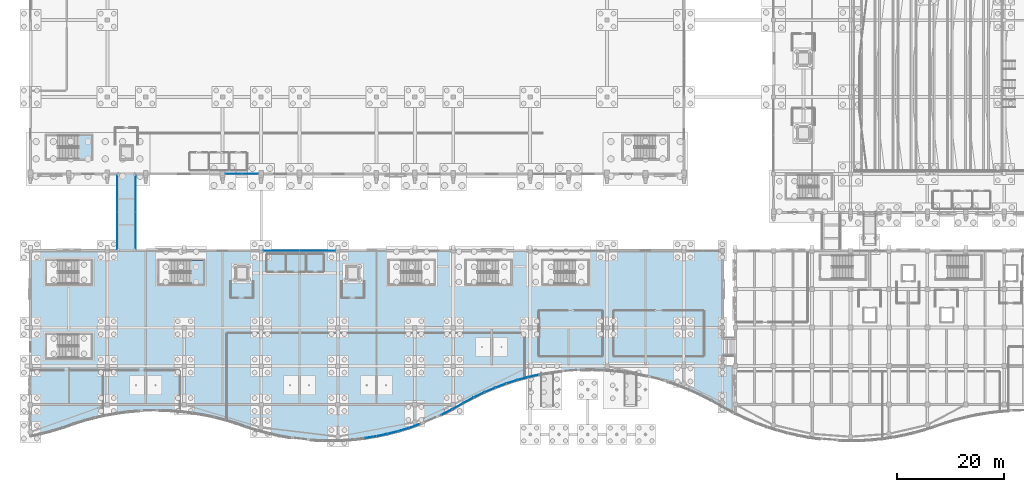
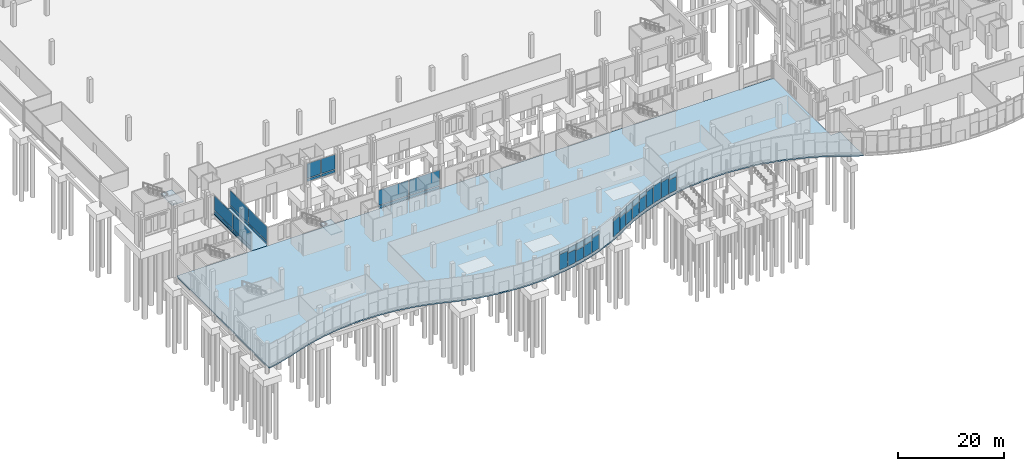
# One storey, part 123 of 192: 43 plates, 4 slabs, 20 elements without a shape of their own.
"""IFC4 building model written with IfcOpenShell, lengths in metres."""

import ifcopenshell
import ifcopenshell.guid

model = None  # the IFC model being written
_history = None  # IfcOwnerHistory: only IFC2X3 demands one
_inside = {}  # id of a spatial element -> (the spatial element, [elements in it])
_under = {}  # id of a project, library or spatial element -> (it, [spatial elements below it])
_declared = {}  # id of a project -> (the project, [libraries it declares])
_typed = {}  # id of a type object -> (the type object, [elements of that type])
_made_of = {}  # id of a material, layer set ... -> (it, [elements and type objects made of it])


def new_model(schema):
    """Start an empty IFC model of exactly this schema.

    Asked for "IFC4X3", IfcOpenShell would pick the latest addendum, in which some entities
    have other attributes; the version numbers below select the first issue.
    IFC2X3 requires an IfcOwnerHistory on every rooted entity: one is made here for all.
    """
    global model, _history
    if schema == "IFC4X3":
        model = ifcopenshell.file(schema_version=(4, 3, 0, 0))
    else:
        model = ifcopenshell.file(schema=schema)
    _inside.clear()
    _under.clear()
    _declared.clear()
    _typed.clear()
    _made_of.clear()
    _history = None
    if model.schema == "IFC2X3":
        org = make("IfcOrganization", Name="unknown")
        user = make(
            "IfcPersonAndOrganization",
            ThePerson=make("IfcPerson", FamilyName="unknown"),
            TheOrganization=org,
        )
        app = make(
            "IfcApplication",
            ApplicationDeveloper=org,
            Version="unknown",
            ApplicationFullName="unknown",
            ApplicationIdentifier="unknown",
        )
        _history = make(
            "IfcOwnerHistory",
            OwningUser=user,
            OwningApplication=app,
            ChangeAction="ADDED",
            CreationDate=0,
        )
    return model


def make(cls, **values):
    """One entity of the class cls with the attributes given. An attribute that is None is left unset."""
    return model.create_entity(
        cls, **{name: value for name, value in values.items() if value is not None}
    )


def rooted(cls, **values):
    """An entity with a GlobalId (a new one), such as an element, a storey or a relation."""
    return make(cls, GlobalId=ifcopenshell.guid.new(), OwnerHistory=_history, **values)


def si_unit(unit_type, name, prefix=None):
    """IfcSIUnit, for example si_unit("LENGTHUNIT", "METRE", prefix="MILLI")."""
    return make("IfcSIUnit", UnitType=unit_type, Prefix=prefix, Name=name)


def assignment(units):
    """IfcUnitAssignment: the units of a project."""
    return None if units is None else make("IfcUnitAssignment", Units=units)


def point(xyz):
    """IfcCartesianPoint."""
    return None if xyz is None else make("IfcCartesianPoint", Coordinates=xyz)


def direction(xyz):
    """IfcDirection."""
    return None if xyz is None else make("IfcDirection", DirectionRatios=xyz)


def frame(location, z_axis=None, x_axis=None):
    """IfcAxis2Placement3D, a coordinate frame: its origin and axes. An axis left out is left unset."""
    return make(
        "IfcAxis2Placement3D",
        Location=point(location),
        Axis=direction(z_axis),
        RefDirection=direction(x_axis),
    )


def frame_2d(location, x_axis=None):
    """IfcAxis2Placement2D, a coordinate frame in the plane: its origin and x axis."""
    return make(
        "IfcAxis2Placement2D", Location=point(location), RefDirection=direction(x_axis)
    )


def origin():
    """The frame at (0, 0, 0) with its axes left unset."""
    return frame((0.0, 0.0, 0.0))


def origin_2d():
    """The frame at (0, 0) in the plane with its x axis left unset."""
    return frame_2d((0.0, 0.0))


def place(relative_to, where):
    """IfcLocalPlacement: puts the frame where relative to a parent placement (None: the world)."""
    return make(
        "IfcLocalPlacement", PlacementRelTo=relative_to, RelativePlacement=where
    )


def context(
    kind, dimensions, precision=None, world=None, true_north=None, identifier=None
):
    """IfcGeometricRepresentationContext, for example the 3D "Model" context."""
    return make(
        "IfcGeometricRepresentationContext",
        ContextIdentifier=identifier,
        ContextType=kind,
        CoordinateSpaceDimension=dimensions,
        Precision=precision,
        WorldCoordinateSystem=world,
        TrueNorth=true_north,
    )


def subcontext(parent, identifier, kind, view, scale=None):
    """IfcGeometricRepresentationSubContext, for example "Body" below "Model"."""
    return make(
        "IfcGeometricRepresentationSubContext",
        ContextIdentifier=identifier,
        ContextType=kind,
        ParentContext=parent,
        TargetScale=scale,
        TargetView=view,
    )


def project(units=None, contexts=None):
    """IfcProject with its units and contexts."""
    return rooted(
        "IfcProject",
        Name="project",
        RepresentationContexts=contexts,
        UnitsInContext=assignment(units),
    )


def spatial(cls, under=None, at=None, **own):
    """A site, building, storey or space (cls), placed at a placement, below another one or the project."""
    s = rooted(cls, ObjectPlacement=at, **own)
    if under is not None:
        _under.setdefault(under.id(), (under, []))[1].append(s)
    return s


def polyline(points):
    """IfcPolyline through the points."""
    return make("IfcPolyline", Points=[point(p) for p in points])


def profile(cls, at=None, kind="AREA", **sizes):
    """A parametric profile (cls). Its sizes go by their IFC names, for example OverallWidth=200.0."""
    return make(cls, ProfileType=kind, Position=at, **sizes)


def rectangle(**sizes):
    """IfcRectangleProfileDef."""
    return profile("IfcRectangleProfileDef", **sizes)


def outline(outer, holes=None, kind="AREA"):
    """IfcArbitraryClosedProfileDef: a profile drawn as a closed curve; with holes, ...WithVoids."""
    if holes is None:
        return make("IfcArbitraryClosedProfileDef", ProfileType=kind, OuterCurve=outer)
    return make(
        "IfcArbitraryProfileDefWithVoids",
        ProfileType=kind,
        OuterCurve=outer,
        InnerCurves=holes,
    )


def extrude(swept, where, along, depth):
    """IfcExtrudedAreaSolid: the profile swept, set in the frame where, extruded along a direction by depth."""
    return make(
        "IfcExtrudedAreaSolid",
        SweptArea=swept,
        Position=where,
        ExtrudedDirection=direction(along),
        Depth=depth,
    )


def shape(context_of_items, identifier, shape_type, items):
    """IfcShapeRepresentation: the items that make up one representation, for example the "Body"."""
    return make(
        "IfcShapeRepresentation",
        ContextOfItems=context_of_items,
        RepresentationIdentifier=identifier,
        RepresentationType=shape_type,
        Items=items,
    )


def material(Name=None, Category=None):
    """IfcMaterial."""
    return make("IfcMaterial", Name=Name, Category=Category)


def layer(
    of_material, thickness, ventilated=None, Name=None, Category=None, Priority=None
):
    """IfcMaterialLayer: one layer of a wall or slab, of a material (None: an air gap)."""
    return make(
        "IfcMaterialLayer",
        Material=of_material,
        LayerThickness=thickness,
        IsVentilated=ventilated,
        Name=Name,
        Category=Category,
        Priority=Priority,
    )


def layer_set(layers, Name=None):
    """IfcMaterialLayerSet."""
    return make("IfcMaterialLayerSet", MaterialLayers=layers, LayerSetName=Name)


def made_of(thing, what):
    """Note that an element or type object is made of a material, layer set ...; save() writes the relation."""
    if what is not None:
        _made_of.setdefault(what.id(), (what, []))[1].append(thing)
    return thing


def type_object(cls, material=None, **own):
    """A type object (cls), such as IfcWallType, which elements share."""
    return made_of(rooted(cls, **own), material)


def element(
    cls,
    number,
    at=None,
    inside=None,
    cuts=None,
    type_object=None,
    material=None,
    context=None,
    identifier="Body",
    shape_type=None,
    held_by="IfcProductDefinitionShape",
    body=None,
    shapes=None,
    **own,
):
    """One element of the class cls, such as IfcWall. Its Tag is "e" and its number.

    at: its placement. inside: the storey or other place that contains it. cuts: it is an
    opening in that element (IfcRelVoidsElement). A single representation is given by context,
    identifier, shape_type and body (its items); several are given by shapes. held_by: the class
    of the entity that holds the representations. save() writes the other relations.
    """
    e = rooted(cls, Tag="e%d" % number, ObjectPlacement=at, **own)
    if body is not None:
        shapes = [shape(context, identifier, shape_type, body)]
    if shapes is not None:
        e.Representation = make(held_by, Representations=shapes)
    if inside is not None:
        _inside.setdefault(inside.id(), (inside, []))[1].append(e)
    if cuts is not None:
        rooted(
            "IfcRelVoidsElement", RelatingBuildingElement=cuts, RelatedOpeningElement=e
        )
    if type_object is not None:
        _typed.setdefault(type_object.id(), (type_object, []))[1].append(e)
    return made_of(e, material)


def aggregate(whole, parts):
    """IfcRelAggregates: a whole, such as a stair, and the parts it consists of."""
    return rooted("IfcRelAggregates", RelatingObject=whole, RelatedObjects=parts)


def save(model, path):
    """Write the relations noted so far, then the file.

    IfcRelAggregates (storeys below a building ...), IfcRelContainedInSpatialStructure (elements
    in a storey), IfcRelDefinesByType, IfcRelAssociatesMaterial and IfcRelDeclares: one each for
    every whole, place, type object, material and project.
    """
    for whole, parts in _under.values():
        aggregate(whole, parts)
    for where, things in _inside.values():
        rooted(
            "IfcRelContainedInSpatialStructure",
            RelatedElements=things,
            RelatingStructure=where,
        )
    for kind, things in _typed.values():
        rooted("IfcRelDefinesByType", RelatedObjects=things, RelatingType=kind)
    for what, things in _made_of.values():
        rooted("IfcRelAssociatesMaterial", RelatedObjects=things, RelatingMaterial=what)
    for by, libraries in _declared.values():
        rooted("IfcRelDeclares", RelatingContext=by, RelatedDefinitions=libraries)
    model.write(path)


model = new_model("IFC4")

# Units and contexts
model_context = context("Model", 3, precision=1e-05, world=origin(), true_north=direction((0.0, 1.0)))
body_context = subcontext(model_context, "Body", "Model", "MODEL_VIEW")
ifc_project = project(units=[si_unit("LENGTHUNIT", "METRE"), si_unit("AREAUNIT", "SQUARE_METRE"), si_unit("VOLUMEUNIT", "CUBIC_METRE"), si_unit("PLANEANGLEUNIT", "RADIAN"), si_unit("MASSUNIT", "GRAM", prefix="KILO")], contexts=[model_context])

# Site, building, storey
site_placement = place(None, origin())
site = spatial("IfcSite", under=ifc_project, at=site_placement, CompositionType="ELEMENT")
building_placement = place(site_placement, origin())
building = spatial("IfcBuilding", under=site, at=building_placement, Name="Cendralis Lancet Convention Centre", CompositionType="ELEMENT")
storey_placement = place(building_placement, origin())
storey = spatial("IfcBuildingStorey", under=building, at=storey_placement, Name="L00", CompositionType="ELEMENT", Elevation=0.0)

# Curtain wall, plate
ifc_material_1 = material(Name="Anodised bronze architectural aluminium", Category="aluminium")
curtain_wall_type_1 = type_object("IfcCurtainWallType", Name="ARC-CW-WF01", PredefinedType="USERDEFINED", material=ifc_material_1)
curtain_wall_1_placement = place(storey_placement, origin())
curtain_wall_1 = element("IfcCurtainWall", 1, at=curtain_wall_1_placement, inside=storey, type_object=curtain_wall_type_1, Name="L00 Curtain Wall CW-WF1 #028", ObjectType="CURTAIN WALL", PredefinedType="USERDEFINED")
ifc_material_2 = material(Name="Double-glazed low-E solar-control glass", Category="glass")
ifc_layer_1 = layer(ifc_material_2, 0.035888671875, Name="Double-glazed low-E solar-control glass")
ifc_layer_set_1 = layer_set([ifc_layer_1], Name="Double-glazed low-E solar-control glass")
plate_type_1 = type_object("IfcPlateType", Name="ARC-PL-GL01", PredefinedType="CURTAIN_PANEL", material=ifc_layer_set_1)
plate_1_placement = place(storey_placement, frame((63.79443359375, 1.090576171875, 0.52001953125), z_axis=(0.0, 0.0, 1.0), x_axis=(0.986902811429, 0.161315965711, 0.0)))
plate_1 = element("IfcPlate", 2, at=plate_1_placement, type_object=plate_type_1, Name="Vision Glass Panel CW2-CW-WF1-L00-028-PG0", PredefinedType="CURTAIN_PANEL", context=body_context, shape_type="SweptSolid", body=[
    extrude(rectangle(XDim=1.911865234375, YDim=0.035888671875, at=origin_2d()), origin(), (0.0, 0.0, 1.0), 3.537109375),
])

curtain_wall_2_placement = place(storey_placement, origin())
curtain_wall_2 = element("IfcCurtainWall", 3, at=curtain_wall_2_placement, inside=storey, type_object=curtain_wall_type_1, Name="L00 Curtain Wall CW-WF1 #029", ObjectType="CURTAIN WALL", PredefinedType="USERDEFINED")
plate_2_placement = place(storey_placement, frame((65.820068359375, 1.466552734375, 0.52001953125), z_axis=(0.0, 0.0, 1.0), x_axis=(0.979084823278, 0.20345247314, 0.0)))
plate_2 = element("IfcPlate", 4, at=plate_2_placement, type_object=plate_type_1, Name="Vision Glass Panel CW2-CW-WF1-L00-029-PG0", PredefinedType="CURTAIN_PANEL", context=body_context, shape_type="SweptSolid", body=[
    extrude(rectangle(XDim=1.92919921875, YDim=0.035888671875, at=origin_2d()), origin(), (0.0, 0.0, 1.0), 2.97998046875),
])

curtain_wall_3_placement = place(storey_placement, origin())
curtain_wall_3 = element("IfcCurtainWall", 5, at=curtain_wall_3_placement, inside=storey, type_object=curtain_wall_type_1, Name="L00 Curtain Wall CW-WF1 #030", ObjectType="CURTAIN WALL", PredefinedType="USERDEFINED")
plate_3_placement = place(storey_placement, frame((67.845458984375, 1.93408203125, 0.52001953125), z_axis=(0.0, 0.0, 1.0), x_axis=(0.969263388122, 0.246025373583, 0.0)))
plate_3 = element("IfcPlate", 6, at=plate_3_placement, type_object=plate_type_1, Name="Vision Glass Panel CW2-CW-WF1-L00-030-PG0", PredefinedType="CURTAIN_PANEL", context=body_context, shape_type="SweptSolid", body=[
    extrude(rectangle(XDim=1.94921875, YDim=0.035888671875, at=origin_2d()), origin(), (0.0, 0.0, 1.0), 2.6279296875),
])

curtain_wall_4_placement = place(storey_placement, origin())
curtain_wall_4 = element("IfcCurtainWall", 7, at=curtain_wall_4_placement, inside=storey, type_object=curtain_wall_type_1, Name="L00 Curtain Wall CW-WF1 #031", ObjectType="CURTAIN WALL", PredefinedType="USERDEFINED")
plate_4_placement = place(storey_placement, frame((69.87060546875, 2.49560546875, 0.52001953125), z_axis=(0.0, 0.0, 1.0), x_axis=(0.957630828491, 0.287998604725, 0.0)))
plate_4 = element("IfcPlate", 8, at=plate_4_placement, type_object=plate_type_1, Name="Vision Glass Panel CW2-CW-WF1-L00-031-PG0", PredefinedType="CURTAIN_PANEL", context=body_context, shape_type="SweptSolid", body=[
    extrude(rectangle(XDim=1.974609375, YDim=0.035888671875, at=origin_2d()), origin(), (0.0, 0.0, 1.0), 2.739013671875),
])

curtain_wall_5_placement = place(storey_placement, origin())
curtain_wall_5 = element("IfcCurtainWall", 9, at=curtain_wall_5_placement, inside=storey, type_object=curtain_wall_type_1, Name="L00 Curtain Wall CW-WF1 #032", ObjectType="CURTAIN WALL", PredefinedType="USERDEFINED")
plate_5_placement = place(storey_placement, frame((71.8955078125, 3.154052734375, 0.52001953125), z_axis=(0.0, 0.0, 1.0), x_axis=(0.94396731712, 0.330038943473, 0.0)))
plate_5 = element("IfcPlate", 10, at=plate_5_placement, type_object=plate_type_1, Name="Vision Glass Panel CW2-CW-WF1-L00-032-PG0", PredefinedType="CURTAIN_PANEL", context=body_context, shape_type="SweptSolid", body=[
    extrude(rectangle(XDim=2.005126953125, YDim=0.035888671875, at=origin_2d()), origin(), (0.0, 0.0, 1.0), 3.23095703125),
])

curtain_wall_6_placement = place(storey_placement, origin())
curtain_wall_6 = element("IfcCurtainWall", 11, at=curtain_wall_6_placement, inside=storey, type_object=curtain_wall_type_1, Name="L00 Curtain Wall CW-WF1 #033", ObjectType="CURTAIN WALL", PredefinedType="USERDEFINED")
plate_6_placement = place(storey_placement, frame((77.971435546875, 5.763916015625, 0.52001953125), z_axis=(0.0, 0.0, 1.0), x_axis=(0.889542894567, 0.456851659431, 0.0)))
plate_6 = element("IfcPlate", 12, at=plate_6_placement, type_object=plate_type_1, Name="Vision Glass Panel CW2-CW-WF1-L00-033-PG0", PredefinedType="CURTAIN_PANEL", context=body_context, shape_type="SweptSolid", body=[
    extrude(rectangle(XDim=2.136474609375, YDim=0.035888671875, at=origin_2d()), origin(), (0.0, 0.0, 1.0), 3.593017578125),
])

curtain_wall_7_placement = place(storey_placement, origin())
curtain_wall_7 = element("IfcCurtainWall", 13, at=curtain_wall_7_placement, inside=storey, type_object=curtain_wall_type_1, Name="L00 Curtain Wall CW-WF1 #034", ObjectType="CURTAIN WALL", PredefinedType="USERDEFINED")
plate_7_placement = place(storey_placement, frame((79.99658203125, 6.861572265625, 0.52001953125), z_axis=(0.0, 0.0, 1.0), x_axis=(0.86863882633, 0.495445849101, 0.0)))
plate_7 = element("IfcPlate", 14, at=plate_7_placement, type_object=plate_type_1, Name="Vision Glass Panel CW2-CW-WF1-L00-034-PG0", PredefinedType="CURTAIN_PANEL", context=body_context, shape_type="SweptSolid", body=[
    extrude(rectangle(XDim=2.191162109375, YDim=0.035888671875, at=origin_2d()), origin(), (0.0, 0.0, 1.0), 3.0380859375),
])

curtain_wall_8_placement = place(storey_placement, origin())
curtain_wall_8 = element("IfcCurtainWall", 15, at=curtain_wall_8_placement, inside=storey, type_object=curtain_wall_type_1, Name="L00 Curtain Wall CW-WF1 #035", ObjectType="CURTAIN WALL", PredefinedType="USERDEFINED")
plate_8_placement = place(storey_placement, frame((82.021484375, 7.985107421875, 0.52001953125), z_axis=(0.0, 0.0, 1.0), x_axis=(0.880177838131, 0.474644049013, 0.0)))
plate_8 = element("IfcPlate", 16, at=plate_8_placement, type_object=plate_type_1, Name="Vision Glass Panel CW2-CW-WF1-L00-035-PG0", PredefinedType="CURTAIN_PANEL", context=body_context, shape_type="SweptSolid", body=[
    extrude(rectangle(XDim=2.16064453125, YDim=0.035888671875, at=origin_2d()), origin(), (0.0, 0.0, 1.0), 2.64599609375),
])

curtain_wall_9_placement = place(storey_placement, origin())
curtain_wall_9 = element("IfcCurtainWall", 17, at=curtain_wall_9_placement, inside=storey, type_object=curtain_wall_type_1, Name="L00 Curtain Wall CW-WF1 #036", ObjectType="CURTAIN WALL", PredefinedType="USERDEFINED")
plate_9_placement = place(storey_placement, frame((84.047119140625, 9.01708984375, 0.52001953125), z_axis=(0.0, 0.0, 1.0), x_axis=(0.90160637311, 0.432557450481, 0.0)))
plate_9 = element("IfcPlate", 18, at=plate_9_placement, type_object=plate_type_1, Name="Vision Glass Panel CW2-CW-WF1-L00-036-PG0", PredefinedType="CURTAIN_PANEL", context=body_context, shape_type="SweptSolid", body=[
    extrude(rectangle(XDim=2.107177734375, YDim=0.035888671875, at=origin_2d()), origin(), (0.0, 0.0, 1.0), 2.702880859375),
])

curtain_wall_10_placement = place(storey_placement, origin())
curtain_wall_10 = element("IfcCurtainWall", 19, at=curtain_wall_10_placement, inside=storey, type_object=curtain_wall_type_1, Name="L00 Curtain Wall CW-WF1 #037", ObjectType="CURTAIN WALL", PredefinedType="USERDEFINED")
plate_10_placement = place(storey_placement, frame((86.072509765625, 9.931884765625, 0.52001953125), z_axis=(0.0, 0.0, 1.0), x_axis=(0.920760025927, 0.390129433209, 0.0)))
plate_10 = element("IfcPlate", 20, at=plate_10_placement, type_object=plate_type_1, Name="Vision Glass Panel CW2-CW-WF1-L00-037-PG0", PredefinedType="CURTAIN_PANEL", context=body_context, shape_type="SweptSolid", body=[
    extrude(rectangle(XDim=2.059326171875, YDim=0.035888671875, at=origin_2d()), origin(), (0.0, 0.0, 1.0), 3.16796875),
])

curtain_wall_11_placement = place(storey_placement, origin())
curtain_wall_11 = element("IfcCurtainWall", 21, at=curtain_wall_11_placement, inside=storey, type_object=curtain_wall_type_1, Name="L00 Curtain Wall CW-WF1 #038", ObjectType="CURTAIN WALL", PredefinedType="USERDEFINED")
plate_11_placement = place(storey_placement, frame((88.097412109375, 10.737060546875, 0.52001953125), z_axis=(0.0, 0.0, 1.0), x_axis=(0.937446856208, 0.348128412781, 0.0)))
plate_11 = element("IfcPlate", 22, at=plate_11_placement, type_object=plate_type_1, Name="Vision Glass Panel CW2-CW-WF1-L00-038-PG0", PredefinedType="CURTAIN_PANEL", context=body_context, shape_type="SweptSolid", body=[
    extrude(rectangle(XDim=2.02001953125, YDim=0.035888671875, at=origin_2d()), origin(), (0.0, 0.0, 1.0), 3.698974609375),
])

curtain_wall_12_placement = place(storey_placement, origin())
curtain_wall_12 = element("IfcCurtainWall", 23, at=curtain_wall_12_placement, inside=storey, type_object=curtain_wall_type_1, Name="L00 Curtain Wall CW-WF1 #039", ObjectType="CURTAIN WALL", PredefinedType="USERDEFINED")
plate_12_placement = place(storey_placement, frame((90.12255859375, 11.4384765625, 0.52001953125), z_axis=(0.0, 0.0, 1.0), x_axis=(0.952013885604, 0.306054834331, 0.0)))
plate_12 = element("IfcPlate", 24, at=plate_12_placement, type_object=plate_type_1, Name="Vision Glass Panel CW2-CW-WF1-L00-039-PG0", PredefinedType="CURTAIN_PANEL", context=body_context, shape_type="SweptSolid", body=[
    extrude(rectangle(XDim=1.987060546875, YDim=0.035888671875, at=origin_2d()), origin(), (0.0, 0.0, 1.0), 3.908935546875),
])
aggregate(curtain_wall_12, [plate_12])

curtain_wall_13_placement = place(storey_placement, origin())
curtain_wall_13 = element("IfcCurtainWall", 25, at=curtain_wall_13_placement, inside=storey, type_object=curtain_wall_type_1, Name="L00 Curtain Wall CW-WF1 #040", ObjectType="CURTAIN WALL", PredefinedType="USERDEFINED")
plate_13_placement = place(storey_placement, frame((92.14794921875, 12.041015625, 0.52001953125), z_axis=(0.0, 0.0, 1.0), x_axis=(0.964587813465, 0.263761919378, 0.0)))
plate_13 = element("IfcPlate", 26, at=plate_13_placement, type_object=plate_type_1, Name="Vision Glass Panel CW2-CW-WF1-L00-040-PG0", PredefinedType="CURTAIN_PANEL", context=body_context, shape_type="SweptSolid", body=[
    extrude(rectangle(XDim=1.96044921875, YDim=0.035888671875, at=origin_2d()), origin(), (0.0, 0.0, 1.0), 3.64501953125),
])

curtain_wall_14_placement = place(storey_placement, origin())
curtain_wall_14 = element("IfcCurtainWall", 27, at=curtain_wall_14_placement, inside=storey, type_object=curtain_wall_type_1, Name="L00 Curtain Wall CW-WF1 #041", ObjectType="CURTAIN WALL", PredefinedType="USERDEFINED")
plate_14_placement = place(storey_placement, frame((94.173583984375, 12.547607421875, 0.52001953125), z_axis=(0.0, 0.0, 1.0), x_axis=(0.975260429306, 0.221059030645, 0.0)))
plate_14 = element("IfcPlate", 28, at=plate_14_placement, type_object=plate_type_1, Name="Vision Glass Panel CW2-CW-WF1-L00-041-PG0", PredefinedType="CURTAIN_PANEL", context=body_context, shape_type="SweptSolid", body=[
    extrude(rectangle(XDim=1.936279296875, YDim=0.035888671875, at=origin_2d()), origin(), (0.0, 0.0, 1.0), 3.09912109375),
])

# Curtain wall, plates
curtain_wall_type_2 = type_object("IfcCurtainWallType", Name="ARC-CW-BR01", PredefinedType="USERDEFINED", material=ifc_material_1)
curtain_wall_15_placement = place(storey_placement, origin())
curtain_wall_15 = element("IfcCurtainWall", 29, at=curtain_wall_15_placement, inside=storey, type_object=curtain_wall_type_2, Name="L00 Curtain Wall CW-BR1 #207", ObjectType="CURTAIN WALL", PredefinedType="USERDEFINED")
plate_15_placement = place(storey_placement, frame((16.280029296875, 39.72509765625, 0.81982421875), z_axis=(0.0, 0.0, 1.0), x_axis=(0.0, 1.0, 0.0)))
plate_15 = element("IfcPlate", 30, at=plate_15_placement, type_object=plate_type_1, Name="Vision Glass Panel CW2-CW-BR1-L00-207-PG0", PredefinedType="CURTAIN_PANEL", context=body_context, shape_type="SweptSolid", body=[
    extrude(rectangle(XDim=6.81005859375, YDim=0.035888671875, at=origin_2d()), origin(), (0.0, 0.0, 1.0), 3.360107421875),
])
plate_16_placement = place(storey_placement, frame((16.280029296875, 46.675048828125, 0.81982421875), z_axis=(0.0, 0.0, 1.0), x_axis=(0.0, 1.0, 0.0)))
plate_16 = element("IfcPlate", 31, at=plate_16_placement, type_object=plate_type_1, Name="Vision Glass Panel CW2-CW-BR1-L00-207-PG1", PredefinedType="CURTAIN_PANEL", context=body_context, shape_type="SweptSolid", body=[
    extrude(rectangle(XDim=6.81005859375, YDim=0.035888671875, at=origin_2d()), origin(), (0.0, 0.0, 1.0), 3.360107421875),
])

curtain_wall_16_placement = place(storey_placement, origin())
curtain_wall_16 = element("IfcCurtainWall", 32, at=curtain_wall_16_placement, inside=storey, type_object=curtain_wall_type_2, Name="L00 Curtain Wall CW-BR1 #208", ObjectType="CURTAIN WALL", PredefinedType="USERDEFINED")
plate_17_placement = place(storey_placement, frame((19.719970703125, 39.72509765625, 0.81982421875), z_axis=(0.0, 0.0, 1.0), x_axis=(0.0, 1.0, 0.0)))
plate_17 = element("IfcPlate", 33, at=plate_17_placement, type_object=plate_type_1, Name="Vision Glass Panel CW2-CW-BR1-L00-208-PG0", PredefinedType="CURTAIN_PANEL", context=body_context, shape_type="SweptSolid", body=[
    extrude(rectangle(XDim=6.81005859375, YDim=0.035888671875, at=origin_2d()), origin(), (0.0, 0.0, 1.0), 3.360107421875),
])
plate_18_placement = place(storey_placement, frame((19.719970703125, 46.675048828125, 0.81982421875), z_axis=(0.0, 0.0, 1.0), x_axis=(0.0, 1.0, 0.0)))
plate_18 = element("IfcPlate", 34, at=plate_18_placement, type_object=plate_type_1, Name="Vision Glass Panel CW2-CW-BR1-L00-208-PG1", PredefinedType="CURTAIN_PANEL", context=body_context, shape_type="SweptSolid", body=[
    extrude(rectangle(XDim=6.81005859375, YDim=0.035888671875, at=origin_2d()), origin(), (0.0, 0.0, 1.0), 3.360107421875),
])

curtain_wall_type_3 = type_object("IfcCurtainWallType", Name="ARC-CW-CL01", PredefinedType="USERDEFINED", material=ifc_material_1)
curtain_wall_17_placement = place(storey_placement, origin())
curtain_wall_17 = element("IfcCurtainWall", 35, at=curtain_wall_17_placement, inside=storey, type_object=curtain_wall_type_3, Name="L00 Curtain Wall CW-CL1 #091", ObjectType="CURTAIN WALL", PredefinedType="USERDEFINED")
ifc_layer_2 = layer(ifc_material_2, 0.035888671875, Name="Double-glazed low-E solar-control glass")
ifc_layer_set_2 = layer_set([ifc_layer_2], Name="Double-glazed low-E solar-control glass")
plate_type_2 = type_object("IfcPlateType", Name="ARC-PL-GL02", PredefinedType="CURTAIN_PANEL", material=ifc_layer_set_2)
plate_19_placement = place(storey_placement, frame((41.168701171875, 50.39990234375, 0.81982421875), z_axis=(0.0, 0.0, 1.0), x_axis=(-1.0, 0.0, 0.0)))
plate_19 = element("IfcPlate", 36, at=plate_19_placement, type_object=plate_type_2, Name="Vision Glass Panel CW2-CW-CL1-L00-091-PG0", PredefinedType="CURTAIN_PANEL", context=body_context, shape_type="SweptSolid", body=[
    extrude(rectangle(XDim=2.952392578125, YDim=0.035888671875, at=origin_2d()), origin(), (0.0, 0.0, 1.0), 3.364990234375),
])
plate_20_placement = place(storey_placement, frame((38.05615234375, 50.39990234375, 0.81982421875), z_axis=(0.0, 0.0, 1.0), x_axis=(-1.0, 0.0, 0.0)))
plate_20 = element("IfcPlate", 37, at=plate_20_placement, type_object=plate_type_2, Name="Vision Glass Panel CW2-CW-CL1-L00-091-PG1", PredefinedType="CURTAIN_PANEL", context=body_context, shape_type="SweptSolid", body=[
    extrude(rectangle(XDim=2.952392578125, YDim=0.035888671875, at=origin_2d()), origin(), (0.0, 0.0, 1.0), 3.364990234375),
])

curtain_wall_18_placement = place(storey_placement, origin())
curtain_wall_18 = element("IfcCurtainWall", 38, at=curtain_wall_18_placement, inside=storey, type_object=curtain_wall_type_3, Name="L00 Curtain Wall CW-CL1 #163", ObjectType="CURTAIN WALL", PredefinedType="USERDEFINED")
ifc_layer_3 = layer(ifc_material_2, 0.035888671875, Name="Double-glazed low-E solar-control glass")
ifc_layer_set_3 = layer_set([ifc_layer_3], Name="Double-glazed low-E solar-control glass")
plate_type_3 = type_object("IfcPlateType", Name="ARC-PL-GL03", PredefinedType="CURTAIN_PANEL", material=ifc_layer_set_3)
plate_21_placement = place(storey_placement, frame((47.03759765625, 36.0, 0.81982421875), z_axis=(0.0, 0.0, 1.0), x_axis=(1.0, 0.0, 0.0)))
plate_21 = element("IfcPlate", 39, at=plate_21_placement, type_object=plate_type_3, Name="Vision Glass Panel CW2-CW-CL1-L00-163-PG0", PredefinedType="CURTAIN_PANEL", context=body_context, shape_type="SweptSolid", body=[
    extrude(rectangle(XDim=6.5849609375, YDim=0.035888671875, at=origin_2d()), origin(), (0.0, 0.0, 1.0), 3.465087890625),
])
plate_22_placement = place(storey_placement, frame((53.762451171875, 36.0, 0.81982421875), z_axis=(0.0, 0.0, 1.0), x_axis=(1.0, 0.0, 0.0)))
plate_22 = element("IfcPlate", 40, at=plate_22_placement, type_object=plate_type_3, Name="Vision Glass Panel CW2-CW-CL1-L00-163-PG1", PredefinedType="CURTAIN_PANEL", context=body_context, shape_type="SweptSolid", body=[
    extrude(rectangle(XDim=6.5849609375, YDim=0.035888671875, at=origin_2d()), origin(), (0.0, 0.0, 1.0), 3.465087890625),
])

# Plate
ifc_material_3 = material(Name="Insulated ceramic-fritted spandrel glass", Category="glass")
ifc_layer_4 = layer(ifc_material_3, 0.044921875, Name="Insulated ceramic-fritted spandrel glass")
ifc_layer_set_4 = layer_set([ifc_layer_4], Name="Insulated ceramic-fritted spandrel glass")
plate_type_4 = type_object("IfcPlateType", Name="ARC-PL-SP01", PredefinedType="CURTAIN_PANEL", material=ifc_layer_set_4)
plate_23_placement = place(storey_placement, frame((63.79443359375, 1.090576171875, 4.197021484375), z_axis=(0.0, 0.0, 1.0), x_axis=(0.986902811429, 0.161315965711, 0.0)))
plate_23 = element("IfcPlate", 41, at=plate_23_placement, type_object=plate_type_4, Name="Spandrel Panel CW2-CW-WF1-L00-028-PS0", PredefinedType="CURTAIN_PANEL", context=body_context, shape_type="SweptSolid", body=[
    extrude(rectangle(XDim=1.911865234375, YDim=0.044921875, at=origin_2d()), origin(), (0.0, 0.0, 1.0), 0.43798828125),
])

aggregate(curtain_wall_1, [plate_1, plate_23])

plate_24_placement = place(storey_placement, frame((65.820068359375, 1.466552734375, 3.639892578125), z_axis=(0.0, 0.0, 1.0), x_axis=(0.979084823278, 0.20345247314, 0.0)))
plate_24 = element("IfcPlate", 42, at=plate_24_placement, type_object=plate_type_4, Name="Spandrel Panel CW2-CW-WF1-L00-029-PS0", PredefinedType="CURTAIN_PANEL", context=body_context, shape_type="SweptSolid", body=[
    extrude(rectangle(XDim=1.92919921875, YDim=0.044921875, at=origin_2d()), origin(), (0.0, 0.0, 1.0), 0.9951171875),
])

aggregate(curtain_wall_2, [plate_2, plate_24])

plate_25_placement = place(storey_placement, frame((67.845458984375, 1.93408203125, 3.2880859375), z_axis=(0.0, 0.0, 1.0), x_axis=(0.969263388122, 0.246025373583, 0.0)))
plate_25 = element("IfcPlate", 43, at=plate_25_placement, type_object=plate_type_4, Name="Spandrel Panel CW2-CW-WF1-L00-030-PS0", PredefinedType="CURTAIN_PANEL", context=body_context, shape_type="SweptSolid", body=[
    extrude(rectangle(XDim=1.94921875, YDim=0.044921875, at=origin_2d()), origin(), (0.0, 0.0, 1.0), 1.346923828125),
])

aggregate(curtain_wall_3, [plate_3, plate_25])

plate_26_placement = place(storey_placement, frame((69.87060546875, 2.49560546875, 3.39892578125), z_axis=(0.0, 0.0, 1.0), x_axis=(0.957630828491, 0.287998604725, 0.0)))
plate_26 = element("IfcPlate", 44, at=plate_26_placement, type_object=plate_type_4, Name="Spandrel Panel CW2-CW-WF1-L00-031-PS0", PredefinedType="CURTAIN_PANEL", context=body_context, shape_type="SweptSolid", body=[
    extrude(rectangle(XDim=1.974609375, YDim=0.044921875, at=origin_2d()), origin(), (0.0, 0.0, 1.0), 1.236083984375),
])

aggregate(curtain_wall_4, [plate_4, plate_26])

plate_27_placement = place(storey_placement, frame((71.8955078125, 3.154052734375, 3.89111328125), z_axis=(0.0, 0.0, 1.0), x_axis=(0.94396731712, 0.330038943473, 0.0)))
plate_27 = element("IfcPlate", 45, at=plate_27_placement, type_object=plate_type_4, Name="Spandrel Panel CW2-CW-WF1-L00-032-PS0", PredefinedType="CURTAIN_PANEL", context=body_context, shape_type="SweptSolid", body=[
    extrude(rectangle(XDim=2.005126953125, YDim=0.044921875, at=origin_2d()), origin(), (0.0, 0.0, 1.0), 0.743896484375),
])

aggregate(curtain_wall_5, [plate_5, plate_27])

plate_28_placement = place(storey_placement, frame((77.971435546875, 5.763916015625, 4.2529296875), z_axis=(0.0, 0.0, 1.0), x_axis=(0.889542894567, 0.456851659431, 0.0)))
plate_28 = element("IfcPlate", 46, at=plate_28_placement, type_object=plate_type_4, Name="Spandrel Panel CW2-CW-WF1-L00-033-PS0", PredefinedType="CURTAIN_PANEL", context=body_context, shape_type="SweptSolid", body=[
    extrude(rectangle(XDim=2.136474609375, YDim=0.044921875, at=origin_2d()), origin(), (0.0, 0.0, 1.0), 0.382080078125),
])

aggregate(curtain_wall_6, [plate_6, plate_28])

plate_29_placement = place(storey_placement, frame((79.99658203125, 6.861572265625, 3.697998046875), z_axis=(0.0, 0.0, 1.0), x_axis=(0.86863882633, 0.495445849101, 0.0)))
plate_29 = element("IfcPlate", 47, at=plate_29_placement, type_object=plate_type_4, Name="Spandrel Panel CW2-CW-WF1-L00-034-PS0", PredefinedType="CURTAIN_PANEL", context=body_context, shape_type="SweptSolid", body=[
    extrude(rectangle(XDim=2.191162109375, YDim=0.044921875, at=origin_2d()), origin(), (0.0, 0.0, 1.0), 0.93701171875),
])

aggregate(curtain_wall_7, [plate_7, plate_29])

plate_30_placement = place(storey_placement, frame((82.021484375, 7.985107421875, 3.305908203125), z_axis=(0.0, 0.0, 1.0), x_axis=(0.880177838131, 0.474644049013, 0.0)))
plate_30 = element("IfcPlate", 48, at=plate_30_placement, type_object=plate_type_4, Name="Spandrel Panel CW2-CW-WF1-L00-035-PS0", PredefinedType="CURTAIN_PANEL", context=body_context, shape_type="SweptSolid", body=[
    extrude(rectangle(XDim=2.16064453125, YDim=0.044921875, at=origin_2d()), origin(), (0.0, 0.0, 1.0), 1.3291015625),
])

aggregate(curtain_wall_8, [plate_8, plate_30])

plate_31_placement = place(storey_placement, frame((84.047119140625, 9.01708984375, 3.363037109375), z_axis=(0.0, 0.0, 1.0), x_axis=(0.90160637311, 0.432557450481, 0.0)))
plate_31 = element("IfcPlate", 49, at=plate_31_placement, type_object=plate_type_4, Name="Spandrel Panel CW2-CW-WF1-L00-036-PS0", PredefinedType="CURTAIN_PANEL", context=body_context, shape_type="SweptSolid", body=[
    extrude(rectangle(XDim=2.107177734375, YDim=0.044921875, at=origin_2d()), origin(), (0.0, 0.0, 1.0), 1.27197265625),
])

aggregate(curtain_wall_9, [plate_9, plate_31])

plate_32_placement = place(storey_placement, frame((86.072509765625, 9.931884765625, 3.828125), z_axis=(0.0, 0.0, 1.0), x_axis=(0.920760025927, 0.390129433209, 0.0)))
plate_32 = element("IfcPlate", 50, at=plate_32_placement, type_object=plate_type_4, Name="Spandrel Panel CW2-CW-WF1-L00-037-PS0", PredefinedType="CURTAIN_PANEL", context=body_context, shape_type="SweptSolid", body=[
    extrude(rectangle(XDim=2.059326171875, YDim=0.044921875, at=origin_2d()), origin(), (0.0, 0.0, 1.0), 0.806884765625),
])

aggregate(curtain_wall_10, [plate_10, plate_32])

plate_33_placement = place(storey_placement, frame((88.097412109375, 10.737060546875, 4.359130859375), z_axis=(0.0, 0.0, 1.0), x_axis=(0.937446856208, 0.348128412781, 0.0)))
plate_33 = element("IfcPlate", 51, at=plate_33_placement, type_object=plate_type_4, Name="Spandrel Panel CW2-CW-WF1-L00-038-PS0", PredefinedType="CURTAIN_PANEL", context=body_context, shape_type="SweptSolid", body=[
    extrude(rectangle(XDim=2.02001953125, YDim=0.044921875, at=origin_2d()), origin(), (0.0, 0.0, 1.0), 0.27587890625),
])

aggregate(curtain_wall_11, [plate_11, plate_33])

plate_34_placement = place(storey_placement, frame((92.14794921875, 12.041015625, 4.304931640625), z_axis=(0.0, 0.0, 1.0), x_axis=(0.964587813465, 0.263761919378, 0.0)))
plate_34 = element("IfcPlate", 52, at=plate_34_placement, type_object=plate_type_4, Name="Spandrel Panel CW2-CW-WF1-L00-040-PS0", PredefinedType="CURTAIN_PANEL", context=body_context, shape_type="SweptSolid", body=[
    extrude(rectangle(XDim=1.96044921875, YDim=0.044921875, at=origin_2d()), origin(), (0.0, 0.0, 1.0), 0.330078125),
])

aggregate(curtain_wall_13, [plate_13, plate_34])

plate_35_placement = place(storey_placement, frame((94.173583984375, 12.547607421875, 3.759033203125), z_axis=(0.0, 0.0, 1.0), x_axis=(0.975260429306, 0.221059030645, 0.0)))
plate_35 = element("IfcPlate", 53, at=plate_35_placement, type_object=plate_type_4, Name="Spandrel Panel CW2-CW-WF1-L00-041-PS0", PredefinedType="CURTAIN_PANEL", context=body_context, shape_type="SweptSolid", body=[
    extrude(rectangle(XDim=1.936279296875, YDim=0.044921875, at=origin_2d()), origin(), (0.0, 0.0, 1.0), 0.8759765625),
])

aggregate(curtain_wall_14, [plate_14, plate_35])

plate_36_placement = place(storey_placement, frame((41.168701171875, 50.39990234375, 0.06982421875), z_axis=(0.0, 0.0, 1.0), x_axis=(-1.0, 0.0, 0.0)))
plate_36 = element("IfcPlate", 54, at=plate_36_placement, type_object=plate_type_4, Name="Spandrel Panel CW2-CW-CL1-L00-091-PS0", PredefinedType="CURTAIN_PANEL", context=body_context, shape_type="SweptSolid", body=[
    extrude(rectangle(XDim=2.952392578125, YDim=0.044921875, at=origin_2d()), origin(), (0.0, 0.0, 1.0), 0.610107421875),
])

plate_37_placement = place(storey_placement, frame((38.05615234375, 50.39990234375, 0.06982421875), z_axis=(0.0, 0.0, 1.0), x_axis=(-1.0, 0.0, 0.0)))
plate_37 = element("IfcPlate", 55, at=plate_37_placement, type_object=plate_type_4, Name="Spandrel Panel CW2-CW-CL1-L00-091-PS1", PredefinedType="CURTAIN_PANEL", context=body_context, shape_type="SweptSolid", body=[
    extrude(rectangle(XDim=2.952392578125, YDim=0.044921875, at=origin_2d()), origin(), (0.0, 0.0, 1.0), 0.610107421875),
])

aggregate(curtain_wall_17, [plate_36, plate_19, plate_37, plate_20])

plate_38_placement = place(storey_placement, frame((47.03759765625, 36.0, 0.06982421875), z_axis=(0.0, 0.0, 1.0), x_axis=(1.0, 0.0, 0.0)))
plate_38 = element("IfcPlate", 56, at=plate_38_placement, type_object=plate_type_4, Name="Spandrel Panel CW2-CW-CL1-L00-163-PS0", PredefinedType="CURTAIN_PANEL", context=body_context, shape_type="SweptSolid", body=[
    extrude(rectangle(XDim=6.5849609375, YDim=0.044921875, at=origin_2d()), origin(), (0.0, 0.0, 1.0), 0.610107421875),
])

plate_39_placement = place(storey_placement, frame((53.762451171875, 36.0, 0.06982421875), z_axis=(0.0, 0.0, 1.0), x_axis=(1.0, 0.0, 0.0)))
plate_39 = element("IfcPlate", 57, at=plate_39_placement, type_object=plate_type_4, Name="Spandrel Panel CW2-CW-CL1-L00-163-PS1", PredefinedType="CURTAIN_PANEL", context=body_context, shape_type="SweptSolid", body=[
    extrude(rectangle(XDim=6.5849609375, YDim=0.044921875, at=origin_2d()), origin(), (0.0, 0.0, 1.0), 0.610107421875),
])

aggregate(curtain_wall_18, [plate_38, plate_21, plate_39, plate_22])

plate_40_placement = place(storey_placement, frame((16.280029296875, 39.72509765625, 0.06982421875), z_axis=(0.0, 0.0, 1.0), x_axis=(0.0, 1.0, 0.0)))
plate_40 = element("IfcPlate", 58, at=plate_40_placement, type_object=plate_type_4, Name="Spandrel Panel CW2-CW-BR1-L00-207-PS0", PredefinedType="CURTAIN_PANEL", context=body_context, shape_type="SweptSolid", body=[
    extrude(rectangle(XDim=6.81005859375, YDim=0.044921875, at=origin_2d()), origin(), (0.0, 0.0, 1.0), 0.610107421875),
])

plate_41_placement = place(storey_placement, frame((16.280029296875, 46.675048828125, 0.06982421875), z_axis=(0.0, 0.0, 1.0), x_axis=(0.0, 1.0, 0.0)))
plate_41 = element("IfcPlate", 59, at=plate_41_placement, type_object=plate_type_4, Name="Spandrel Panel CW2-CW-BR1-L00-207-PS1", PredefinedType="CURTAIN_PANEL", context=body_context, shape_type="SweptSolid", body=[
    extrude(rectangle(XDim=6.81005859375, YDim=0.044921875, at=origin_2d()), origin(), (0.0, 0.0, 1.0), 0.610107421875),
])

aggregate(curtain_wall_15, [plate_40, plate_15, plate_41, plate_16])

plate_42_placement = place(storey_placement, frame((19.719970703125, 39.72509765625, 0.06982421875), z_axis=(0.0, 0.0, 1.0), x_axis=(0.0, 1.0, 0.0)))
plate_42 = element("IfcPlate", 60, at=plate_42_placement, type_object=plate_type_4, Name="Spandrel Panel CW2-CW-BR1-L00-208-PS0", PredefinedType="CURTAIN_PANEL", context=body_context, shape_type="SweptSolid", body=[
    extrude(rectangle(XDim=6.81005859375, YDim=0.044921875, at=origin_2d()), origin(), (0.0, 0.0, 1.0), 0.610107421875),
])

plate_43_placement = place(storey_placement, frame((19.719970703125, 46.675048828125, 0.06982421875), z_axis=(0.0, 0.0, 1.0), x_axis=(0.0, 1.0, 0.0)))
plate_43 = element("IfcPlate", 61, at=plate_43_placement, type_object=plate_type_4, Name="Spandrel Panel CW2-CW-BR1-L00-208-PS1", PredefinedType="CURTAIN_PANEL", context=body_context, shape_type="SweptSolid", body=[
    extrude(rectangle(XDim=6.81005859375, YDim=0.044921875, at=origin_2d()), origin(), (0.0, 0.0, 1.0), 0.610107421875),
])

aggregate(curtain_wall_16, [plate_42, plate_17, plate_43, plate_18])

# Slabs
ifc_material_4 = material(Name="Concrete G35 (C35/45)", Category="concrete")
ifc_layer_5 = layer(ifc_material_4, 0.219970703125, Name="Concrete G35 (C35/45)")
ifc_layer_set_5 = layer_set([ifc_layer_5], Name="Concrete G35 (C35/45)")
slab_type_1 = type_object("IfcSlabType", Name="STR-SL-FS22", PredefinedType="FLOOR", material=ifc_layer_set_5)
slab_1_placement = place(storey_placement, frame((0.0, 0.0, -0.219970703125)))
element("IfcSlab", 62, at=slab_1_placement, inside=storey, type_object=slab_type_1, Name="West Cloister Covered Passage Link Slab L00", PredefinedType="FLOOR", context=body_context, shape_type="SweptSolid", body=[
    extrude(outline(polyline([(16.550048828125, 36.0), (19.449951171875, 36.0), (19.800048828125, 36.35009765625), (19.800048828125, 50.050048828125), (19.449951171875, 50.39990234375), (16.550048828125, 50.39990234375), (16.199951171875, 50.050048828125), (16.199951171875, 36.35009765625), (16.550048828125, 36.0)])), origin(), (0.0, 0.0, 1.0), 0.219970703125),
])
ifc_layer_6 = layer(ifc_material_4, 0.300048828125, Name="Concrete G35 (C35/45)")
ifc_layer_set_6 = layer_set([ifc_layer_6], Name="Concrete G35 (C35/45)")
slab_type_2 = type_object("IfcSlabType", Name="STR-SL-FS30", PredefinedType="FLOOR", material=ifc_layer_set_6)
slab_2_placement = place(storey_placement, frame((0.0, 0.0, -0.300048828125)))
element("IfcSlab", 63, at=slab_2_placement, inside=storey, type_object=slab_type_2, Name="L00 V4 Floor Slab FS-300", PredefinedType="FLOOR", context=body_context, shape_type="SweptSolid", body=[
    extrude(outline(polyline([(0.0, 1.324951171875), (2.02490234375, 1.762939453125), (4.050048828125, 2.2939453125), (6.075927734375, 2.9208984375), (8.10107421875, 3.6259765625), (10.1259765625, 4.260009765625), (12.15087890625, 4.798095703125), (14.177001953125, 5.242919921875), (16.201904296875, 5.597900390625), (18.22705078125, 5.864013671875), (20.251953125, 6.04296875), (22.278076171875, 6.135009765625), (24.302978515625, 6.14306640625), (26.327880859375, 6.06396484375), (28.35302734375, 5.89990234375), (30.3779296875, 5.64892578125), (32.404052734375, 5.31005859375), (34.428955078125, 4.8798828125), (36.4541015625, 4.35791015625), (38.47900390625, 3.739990234375), (40.5048828125, 3.035888671875), (42.530029296875, 2.39306640625), (44.554931640625, 1.845947265625), (46.580078125, 1.39306640625), (48.60595703125, 1.030029296875), (50.631103515625, 0.757080078125), (52.656005859375, 0.570068359375), (54.680908203125, 0.468994140625), (56.7060546875, 0.455078125), (58.73193359375, 0.52490234375), (60.757080078125, 0.680908203125), (62.781982421875, 0.925048828125), (64.806884765625, 1.256103515625), (66.8330078125, 1.677001953125), (68.85791015625, 2.19091796875), (70.883056640625, 2.800048828125), (72.907958984375, 3.508056640625), (74.93408203125, 4.321044921875), (76.958984375, 5.243896484375), (78.98388671875, 6.283935546875), (81.009033203125, 7.43896484375), (83.033935546875, 8.531005859375), (85.06005859375, 9.5029296875), (87.0849609375, 10.361083984375), (89.110107421875, 11.113037109375), (91.135009765625, 11.763916015625), (93.160888671875, 12.318115234375), (95.18603515625, 12.777099609375), (97.2109375, 13.14599609375), (99.236083984375, 13.426025390625), (101.261962890625, 13.618896484375), (103.287109375, 13.72607421875), (105.31201171875, 13.7470703125), (107.3369140625, 13.68310546875), (109.362060546875, 13.532958984375), (111.387939453125, 13.2958984375), (113.4130859375, 12.970947265625), (115.43798828125, 12.555908203125), (117.462890625, 12.050048828125), (119.489013671875, 11.447021484375), (121.513916015625, 10.74609375), (123.5390625, 9.94091796875), (125.56396484375, 9.027099609375), (127.590087890625, 7.9951171875), (129.614990234375, 6.843994140625), (131.639892578125, 5.742919921875), (131.639892578125, 14.39990234375), (129.60009765625, 14.39990234375), (129.60009765625, 36.0), (0.0, 36.0), (0.0, 1.324951171875)])), origin(), (0.0, 0.0, 1.0), 0.300048828125),
])

# Stair, slab
stair_type = type_object("IfcStairType", Name="ARC-ST-CORE", PredefinedType="HALF_TURN_STAIR", material=ifc_material_4)
stair_1_placement = place(storey_placement, origin())
stair_1 = element("IfcStair", 64, at=stair_1_placement, inside=storey, type_object=stair_type, Name="L00 Protected Exit Stair ST-01", PredefinedType="HALF_TURN_STAIR")
ifc_layer_7 = layer(ifc_material_4, 0.199951171875, Name="Concrete G35 (C35/45)")
ifc_layer_set_7 = layer_set([ifc_layer_7], Name="Concrete G35 (C35/45)")
slab_type_3 = type_object("IfcSlabType", Name="STR-SL-LAND", PredefinedType="LANDING", material=ifc_layer_set_7)
slab_3_placement = place(storey_placement, frame((0.0, 0.0, 2.5)))
slab_3 = element("IfcSlab", 65, at=slab_3_placement, type_object=slab_type_3, Name="ST-01 landing 1", PredefinedType="LANDING", context=body_context, shape_type="SweptSolid", body=[
    extrude(outline(polyline([(8.909912109375, 53.199951171875), (11.39990234375, 53.199951171875), (11.39990234375, 57.580078125), (8.909912109375, 57.580078125), (8.909912109375, 53.199951171875)])), origin(), (0.0, 0.0, 1.0), 0.199951171875),
])
aggregate(stair_1, [slab_3])

stair_2_placement = place(storey_placement, origin())
stair_2 = element("IfcStair", 66, at=stair_2_placement, inside=storey, type_object=stair_type, Name="L00 Protected Exit Stair ST-11", PredefinedType="HALF_TURN_STAIR")
slab_4_placement = place(storey_placement, frame((0.0, 0.0, 2.5)))
slab_4 = element("IfcSlab", 67, at=slab_4_placement, type_object=slab_type_3, Name="ST-11 landing 1", PredefinedType="LANDING", context=body_context, shape_type="SweptSolid", body=[
    extrude(outline(polyline([(29.909912109375, 29.800048828125), (32.39990234375, 29.800048828125), (32.39990234375, 34.179931640625), (29.909912109375, 34.179931640625), (29.909912109375, 29.800048828125)])), origin(), (0.0, 0.0, 1.0), 0.199951171875),
])
aggregate(stair_2, [slab_4])

save(model, "model.ifc")
